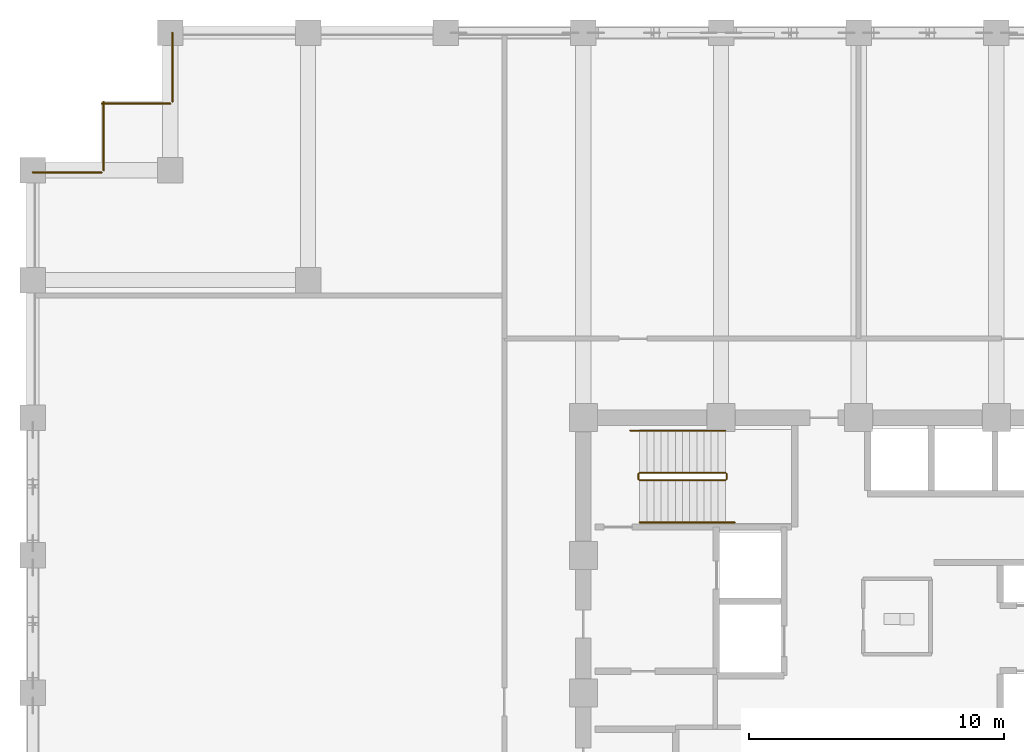
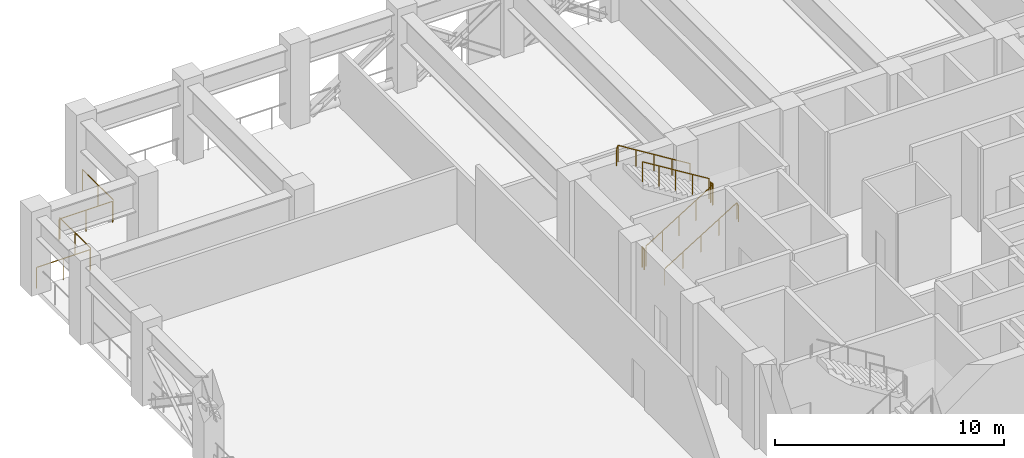
# One storey, part 10 of 12: 10 railings.
"""IFC4 building model written with IfcOpenShell, lengths in metres."""

from ifc_helpers import new_model, si_unit, direction, frame, origin, origin_2d, place, context, subcontext, project, spatial, circle, extrude, material, type_object, element, save


model = new_model("IFC4")

# Units and contexts
model_context = context("Model", 3, precision=1e-05, world=origin(), true_north=direction((0.0, 1.0)))
body_context = subcontext(model_context, "Body", "Model", "MODEL_VIEW")
ifc_project = project(units=[si_unit("LENGTHUNIT", "METRE"), si_unit("AREAUNIT", "SQUARE_METRE"), si_unit("VOLUMEUNIT", "CUBIC_METRE"), si_unit("PLANEANGLEUNIT", "RADIAN"), si_unit("MASSUNIT", "GRAM", prefix="KILO")], contexts=[model_context])

# Site, building, storey
site_placement = place(None, origin())
site = spatial("IfcSite", under=ifc_project, at=site_placement, CompositionType="ELEMENT")
building_placement = place(site_placement, origin())
building = spatial("IfcBuilding", under=site, at=building_placement, Name="Surkhivell Harbour Commons", CompositionType="ELEMENT")
storey_placement = place(building_placement, frame((0.0, 0.0, 166.5)))
storey = spatial("IfcBuildingStorey", under=building, at=storey_placement, Name="L43", CompositionType="ELEMENT", Elevation=166.5)

# Railings
ifc_material_1 = material(Name="Laminated safety glass and stainless steel S355 balustrade", Category="steel")
railing_type_1 = type_object("IfcRailingType", Name="RAL-BAL-1150", PredefinedType="BALUSTRADE", material=ifc_material_1)
railing_1_placement = place(storey_placement, frame((-26.919921875, 25.89990234375, 0.0)))
element("IfcRailing", 1, at=railing_1_placement, inside=storey, type_object=railing_type_1, Name="L43 Perimeter Safety Guard 09", PredefinedType="BALUSTRADE", context=body_context, shape_type="SweptSolid", body=[
    extrude(circle(Radius=0.02392578125, at=origin_2d()), frame((0.0, 0.0, 1.1259765625), z_axis=(0.0, -1.0, 0.0), x_axis=(1.0, 0.0, 0.0)), (0.0, 0.0, 1.0), 2.699951171875),
    extrude(circle(Radius=0.02099609375, at=origin_2d()), origin(), (0.0, 0.0, 1.0), 1.101806640625),
    extrude(circle(Radius=0.02099609375, at=origin_2d()), frame((0.0, -1.35009765625, 0.0)), (0.0, 0.0, 1.0), 1.101806640625),
    extrude(circle(Radius=0.02099609375, at=origin_2d()), frame((0.0, -2.699951171875, 0.0)), (0.0, 0.0, 1.0), 1.101806640625),
])
railing_2_placement = place(storey_placement, frame((-27.0, 23.1201171875, 0.0)))
element("IfcRailing", 2, at=railing_2_placement, inside=storey, type_object=railing_type_1, Name="L43 Perimeter Safety Guard 10", PredefinedType="BALUSTRADE", context=body_context, shape_type="SweptSolid", body=[
    extrude(circle(Radius=0.02392578125, at=origin_2d()), frame((0.0, 0.0, 1.1259765625), z_axis=(-1.0, 0.0, 0.0), x_axis=(0.0, -1.0, 0.0)), (0.0, 0.0, 1.0), 2.699951171875),
    extrude(circle(Radius=0.02099609375, at=origin_2d()), origin(), (0.0, 0.0, 1.0), 1.101806640625),
    extrude(circle(Radius=0.02099609375, at=origin_2d()), frame((-1.35009765625, 0.0, 0.0)), (0.0, 0.0, 1.0), 1.101806640625),
    extrude(circle(Radius=0.02099609375, at=origin_2d()), frame((-2.699951171875, 0.0, 0.0)), (0.0, 0.0, 1.0), 1.101806640625),
])
railing_3_placement = place(storey_placement, frame((-29.6201171875, 23.199951171875, 0.0)))
element("IfcRailing", 3, at=railing_3_placement, inside=storey, type_object=railing_type_1, Name="L43 Perimeter Safety Guard 11", PredefinedType="BALUSTRADE", context=body_context, shape_type="SweptSolid", body=[
    extrude(circle(Radius=0.02392578125, at=origin_2d()), frame((0.0, 0.0, 1.1259765625), z_axis=(0.0, -1.0, 0.0), x_axis=(1.0, 0.0, 0.0)), (0.0, 0.0, 1.0), 2.699951171875),
    extrude(circle(Radius=0.02099609375, at=origin_2d()), origin(), (0.0, 0.0, 1.0), 1.101806640625),
    extrude(circle(Radius=0.02099609375, at=origin_2d()), frame((0.0, -1.35009765625, 0.0)), (0.0, 0.0, 1.0), 1.101806640625),
    extrude(circle(Radius=0.02099609375, at=origin_2d()), frame((0.0, -2.699951171875, 0.0)), (0.0, 0.0, 1.0), 1.101806640625),
])
railing_4_placement = place(storey_placement, frame((-29.699951171875, 20.419921875, 0.0)))
element("IfcRailing", 4, at=railing_4_placement, inside=storey, type_object=railing_type_1, Name="L43 Perimeter Safety Guard 12", PredefinedType="BALUSTRADE", context=body_context, shape_type="SweptSolid", body=[
    extrude(circle(Radius=0.02392578125, at=origin_2d()), frame((0.0, 0.0, 1.1259765625), z_axis=(-1.0, 0.0, 0.0), x_axis=(0.0, -1.0, 0.0)), (0.0, 0.0, 1.0), 2.699951171875),
    extrude(circle(Radius=0.02099609375, at=origin_2d()), origin(), (0.0, 0.0, 1.0), 1.101806640625),
    extrude(circle(Radius=0.02099609375, at=origin_2d()), frame((-1.35009765625, 0.0, 0.0)), (0.0, 0.0, 1.0), 1.101806640625),
    extrude(circle(Radius=0.02099609375, at=origin_2d()), frame((-2.699951171875, 0.0, 0.0)), (0.0, 0.0, 1.0), 1.101806640625),
])
ifc_material_2 = material(Name="Galvanised and painted steel S355 guard rail", Category="steel")
railing_type_2 = type_object("IfcRailingType", Name="RAL-ST-GRD1100", PredefinedType="GUARDRAIL", material=ifc_material_2)
railing_5_placement = place(storey_placement, frame((-8.590087890625, 8.340087890625, 0.173095703125)))
element("IfcRailing", 5, at=railing_5_placement, inside=storey, type_object=railing_type_2, Name="L43 ST1 stair guard 1", PredefinedType="GUARDRAIL", context=body_context, shape_type="SweptSolid", body=[
    extrude(circle(Radius=0.02392578125, at=origin_2d()), frame((0.0, 0.0, 1.076171875), z_axis=(0.850623216509, 0.0, 0.525775754039), x_axis=(0.0, 1.0, 0.0)), (0.0, 0.0, 1.0), 3.9501953125),
    extrude(circle(Radius=0.02099609375, at=origin_2d()), origin(), (0.0, 0.0, 1.0), 1.052001953125),
    extrude(circle(Radius=0.02099609375, at=origin_2d()), frame((0.840087890625, 0.0, 0.519287109375)), (0.0, 0.0, 1.0), 1.052001953125),
    extrude(circle(Radius=0.02099609375, at=origin_2d()), frame((1.68017578125, 0.0, 1.03857421875)), (0.0, 0.0, 1.0), 1.052001953125),
    extrude(circle(Radius=0.02099609375, at=origin_2d()), frame((2.52001953125, 0.0, 1.5576171875)), (0.0, 0.0, 1.0), 1.052001953125),
    extrude(circle(Radius=0.02099609375, at=origin_2d()), frame((3.360107421875, 0.0, 2.076904296875)), (0.0, 0.0, 1.0), 1.052001953125),
])
railing_6_placement = place(storey_placement, frame((-5.179931640625, 8.389892578125, 2.25)))
element("IfcRailing", 6, at=railing_6_placement, inside=storey, type_object=railing_type_2, Name="L43 ST1 stair guard 2", PredefinedType="GUARDRAIL", context=body_context, shape_type="SweptSolid", body=[
    extrude(circle(Radius=0.02392578125, at=origin_2d()), frame((0.0, 0.0, 1.076171875), z_axis=(0.0, 1.0, 0.0), x_axis=(-1.0, 0.0, 0.0)), (0.0, 0.0, 1.0), 0.2001953125),
    extrude(circle(Radius=0.02099609375, at=origin_2d()), origin(), (0.0, 0.0, 1.0), 1.052001953125),
    extrude(circle(Radius=0.02099609375, at=origin_2d()), frame((0.0, 0.2001953125, 0.0)), (0.0, 0.0, 1.0), 1.052001953125),
])
railing_7_placement = place(storey_placement, frame((-5.22998046875, 8.639892578125, 2.423095703125)))
element("IfcRailing", 7, at=railing_7_placement, inside=storey, type_object=railing_type_2, Name="L43 ST1 stair guard 3", PredefinedType="GUARDRAIL", context=body_context, shape_type="SweptSolid", body=[
    extrude(circle(Radius=0.02392578125, at=origin_2d()), frame((0.0, 0.0, 1.076171875), z_axis=(-0.850623216509, 0.0, 0.525775754039), x_axis=(0.0, -1.0, 0.0)), (0.0, 0.0, 1.0), 3.9501953125),
    extrude(circle(Radius=0.02099609375, at=origin_2d()), origin(), (0.0, 0.0, 1.0), 1.052001953125),
    extrude(circle(Radius=0.02099609375, at=origin_2d()), frame((-0.840087890625, 0.0, 0.519287109375)), (0.0, 0.0, 1.0), 1.052001953125),
    extrude(circle(Radius=0.02099609375, at=origin_2d()), frame((-1.68017578125, 0.0, 1.03857421875)), (0.0, 0.0, 1.0), 1.052001953125),
    extrude(circle(Radius=0.02099609375, at=origin_2d()), frame((-2.52001953125, 0.0, 1.5576171875)), (0.0, 0.0, 1.0), 1.052001953125),
    extrude(circle(Radius=0.02099609375, at=origin_2d()), frame((-3.360107421875, 0.0, 2.076904296875)), (0.0, 0.0, 1.0), 1.052001953125),
])
railing_8_placement = place(storey_placement, frame((-8.639892578125, 8.389892578125, 0.0)))
element("IfcRailing", 8, at=railing_8_placement, inside=storey, type_object=railing_type_2, Name="L43 ST1 stair guard 4", PredefinedType="GUARDRAIL", context=body_context, shape_type="SweptSolid", body=[
    extrude(circle(Radius=0.02392578125, at=origin_2d()), frame((0.0, 0.0, 1.076171875), z_axis=(0.0, 1.0, 0.0), x_axis=(-1.0, 0.0, 0.0)), (0.0, 0.0, 1.0), 0.2001953125),
    extrude(circle(Radius=0.02099609375, at=origin_2d()), origin(), (0.0, 0.0, 1.0), 1.052001953125),
    extrude(circle(Radius=0.02099609375, at=origin_2d()), frame((0.0, 0.2001953125, 0.0)), (0.0, 0.0, 1.0), 1.052001953125),
])
ifc_material_3 = material(Name="Brushed stainless steel S355 handrail", Category="steel")
railing_type_3 = type_object("IfcRailingType", Name="RAL-ST-HND900", PredefinedType="HANDRAIL", material=ifc_material_3)
railing_9_placement = place(storey_placement, frame((-8.590087890625, 6.68994140625, 0.173095703125)))
element("IfcRailing", 9, at=railing_9_placement, inside=storey, type_object=railing_type_3, Name="L43 ST1 stair handrail 1", PredefinedType="HANDRAIL", context=body_context, shape_type="SweptSolid", body=[
    extrude(circle(Radius=0.02392578125, at=origin_2d()), frame((0.0, 0.0, 0.8759765625), z_axis=(0.850622404505, 0.0, 0.525777067734), x_axis=(0.0, 1.0, 0.0)), (0.0, 0.0, 1.0), 4.279296875),
    extrude(circle(Radius=0.02392578125, at=origin_2d()), frame((3.64013671875, 0.0, 3.1259765625), z_axis=(0.418814502111, 0.0, -0.908071810388), x_axis=(0.0, 1.0, 0.0)), (0.0, 0.0, 1.0), 0.190673828125),
    extrude(circle(Radius=0.02099609375, at=origin_2d()), origin(), (0.0, 0.0, 1.0), 0.851806640625),
    extrude(circle(Radius=0.02099609375, at=origin_2d()), frame((0.91015625, 0.0, 0.5625)), (0.0, 0.0, 1.0), 0.851806640625),
    extrude(circle(Radius=0.02099609375, at=origin_2d()), frame((1.820068359375, 0.0, 1.125)), (0.0, 0.0, 1.0), 0.851806640625),
    extrude(circle(Radius=0.02099609375, at=origin_2d()), frame((2.72998046875, 0.0, 1.6875)), (0.0, 0.0, 1.0), 0.851806640625),
    extrude(circle(Radius=0.02099609375, at=origin_2d()), frame((3.64013671875, 0.0, 2.25)), (0.0, 0.0, 1.0), 0.851806640625),
    extrude(circle(Radius=0.02099609375, at=origin_2d()), frame((3.719970703125, 0.0, 2.076904296875)), (0.0, 0.0, 1.0), 0.851806640625),
])
railing_10_placement = place(storey_placement, frame((-5.22998046875, 10.2900390625, 2.423095703125)))
element("IfcRailing", 10, at=railing_10_placement, inside=storey, type_object=railing_type_3, Name="L43 ST1 stair handrail 2", PredefinedType="HANDRAIL", context=body_context, shape_type="SweptSolid", body=[
    extrude(circle(Radius=0.02392578125, at=origin_2d()), frame((0.0, 0.0, 0.8759765625), z_axis=(-0.850622404505, 0.0, 0.525777067734), x_axis=(0.0, -1.0, 0.0)), (0.0, 0.0, 1.0), 4.279296875),
    extrude(circle(Radius=0.02392578125, at=origin_2d()), frame((-3.64013671875, 0.0, 3.1259765625), z_axis=(-0.418814502111, 0.0, -0.908071810388), x_axis=(0.0, -1.0, 0.0)), (0.0, 0.0, 1.0), 0.190673828125),
    extrude(circle(Radius=0.02099609375, at=origin_2d()), origin(), (0.0, 0.0, 1.0), 0.851806640625),
    extrude(circle(Radius=0.02099609375, at=origin_2d()), frame((-0.91015625, 0.0, 0.5625)), (0.0, 0.0, 1.0), 0.851806640625),
    extrude(circle(Radius=0.02099609375, at=origin_2d()), frame((-1.820068359375, 0.0, 1.125)), (0.0, 0.0, 1.0), 0.851806640625),
    extrude(circle(Radius=0.02099609375, at=origin_2d()), frame((-2.72998046875, 0.0, 1.6875)), (0.0, 0.0, 1.0), 0.851806640625),
    extrude(circle(Radius=0.02099609375, at=origin_2d()), frame((-3.64013671875, 0.0, 2.25)), (0.0, 0.0, 1.0), 0.851806640625),
    extrude(circle(Radius=0.02099609375, at=origin_2d()), frame((-3.719970703125, 0.0, 2.076904296875)), (0.0, 0.0, 1.0), 0.851806640625),
])

save(model, "model.ifc")
